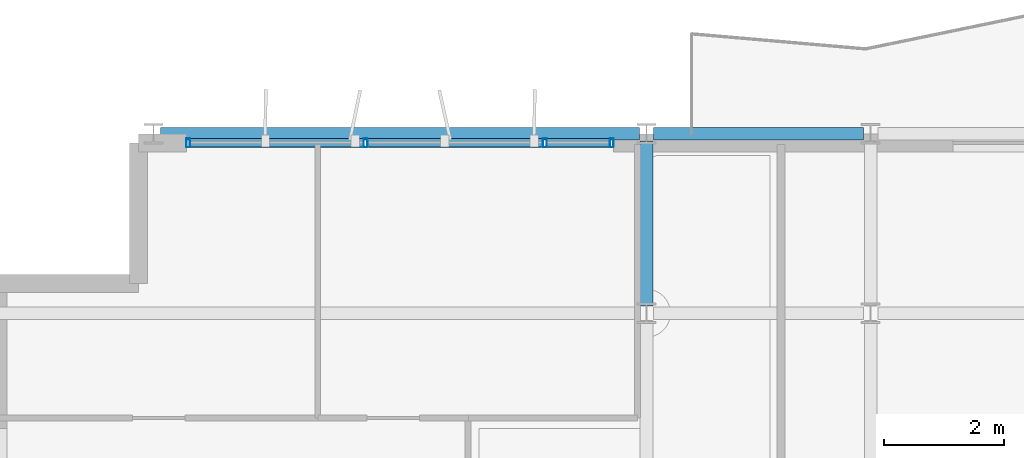
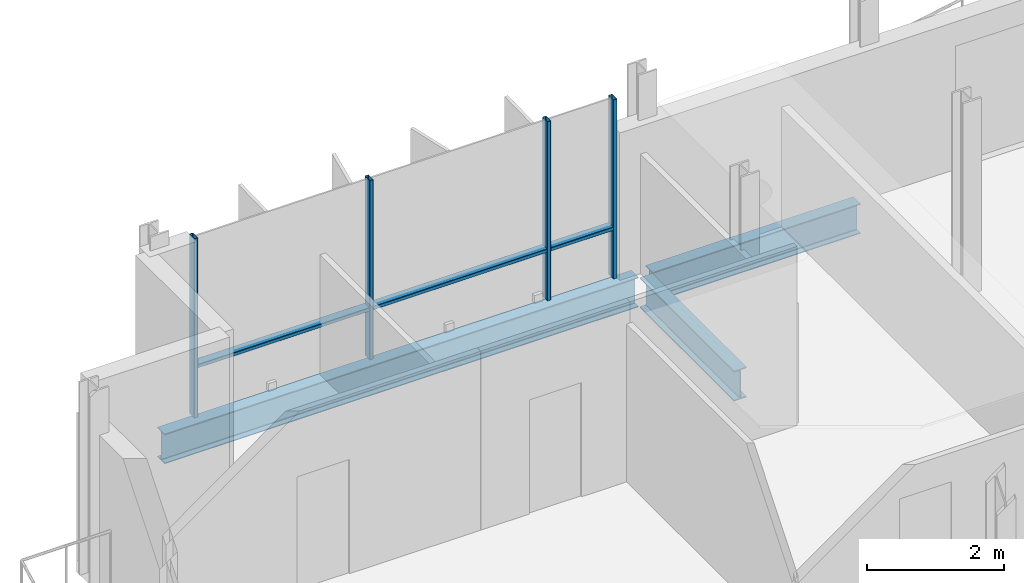
# One storey, part 2 of 12: 7 members, 3 beams, 1 element without a shape of its own.
"""IFC4 building model written with IfcOpenShell, lengths in metres."""

import ifcopenshell
import ifcopenshell.guid

model = None  # the IFC model being written
_history = None  # IfcOwnerHistory: only IFC2X3 demands one
_inside = {}  # id of a spatial element -> (the spatial element, [elements in it])
_under = {}  # id of a project, library or spatial element -> (it, [spatial elements below it])
_declared = {}  # id of a project -> (the project, [libraries it declares])
_typed = {}  # id of a type object -> (the type object, [elements of that type])
_made_of = {}  # id of a material, layer set ... -> (it, [elements and type objects made of it])


def new_model(schema):
    """Start an empty IFC model of exactly this schema.

    Asked for "IFC4X3", IfcOpenShell would pick the latest addendum, in which some entities
    have other attributes; the version numbers below select the first issue.
    IFC2X3 requires an IfcOwnerHistory on every rooted entity: one is made here for all.
    """
    global model, _history
    if schema == "IFC4X3":
        model = ifcopenshell.file(schema_version=(4, 3, 0, 0))
    else:
        model = ifcopenshell.file(schema=schema)
    _inside.clear()
    _under.clear()
    _declared.clear()
    _typed.clear()
    _made_of.clear()
    _history = None
    if model.schema == "IFC2X3":
        org = make("IfcOrganization", Name="unknown")
        user = make(
            "IfcPersonAndOrganization",
            ThePerson=make("IfcPerson", FamilyName="unknown"),
            TheOrganization=org,
        )
        app = make(
            "IfcApplication",
            ApplicationDeveloper=org,
            Version="unknown",
            ApplicationFullName="unknown",
            ApplicationIdentifier="unknown",
        )
        _history = make(
            "IfcOwnerHistory",
            OwningUser=user,
            OwningApplication=app,
            ChangeAction="ADDED",
            CreationDate=0,
        )
    return model


def make(cls, **values):
    """One entity of the class cls with the attributes given. An attribute that is None is left unset."""
    return model.create_entity(
        cls, **{name: value for name, value in values.items() if value is not None}
    )


def rooted(cls, **values):
    """An entity with a GlobalId (a new one), such as an element, a storey or a relation."""
    return make(cls, GlobalId=ifcopenshell.guid.new(), OwnerHistory=_history, **values)


def si_unit(unit_type, name, prefix=None):
    """IfcSIUnit, for example si_unit("LENGTHUNIT", "METRE", prefix="MILLI")."""
    return make("IfcSIUnit", UnitType=unit_type, Prefix=prefix, Name=name)


def assignment(units):
    """IfcUnitAssignment: the units of a project."""
    return None if units is None else make("IfcUnitAssignment", Units=units)


def point(xyz):
    """IfcCartesianPoint."""
    return None if xyz is None else make("IfcCartesianPoint", Coordinates=xyz)


def direction(xyz):
    """IfcDirection."""
    return None if xyz is None else make("IfcDirection", DirectionRatios=xyz)


def frame(location, z_axis=None, x_axis=None):
    """IfcAxis2Placement3D, a coordinate frame: its origin and axes. An axis left out is left unset."""
    return make(
        "IfcAxis2Placement3D",
        Location=point(location),
        Axis=direction(z_axis),
        RefDirection=direction(x_axis),
    )


def frame_2d(location, x_axis=None):
    """IfcAxis2Placement2D, a coordinate frame in the plane: its origin and x axis."""
    return make(
        "IfcAxis2Placement2D", Location=point(location), RefDirection=direction(x_axis)
    )


def origin():
    """The frame at (0, 0, 0) with its axes left unset."""
    return frame((0.0, 0.0, 0.0))


def origin_2d():
    """The frame at (0, 0) in the plane with its x axis left unset."""
    return frame_2d((0.0, 0.0))


def place(relative_to, where):
    """IfcLocalPlacement: puts the frame where relative to a parent placement (None: the world)."""
    return make(
        "IfcLocalPlacement", PlacementRelTo=relative_to, RelativePlacement=where
    )


def context(
    kind, dimensions, precision=None, world=None, true_north=None, identifier=None
):
    """IfcGeometricRepresentationContext, for example the 3D "Model" context."""
    return make(
        "IfcGeometricRepresentationContext",
        ContextIdentifier=identifier,
        ContextType=kind,
        CoordinateSpaceDimension=dimensions,
        Precision=precision,
        WorldCoordinateSystem=world,
        TrueNorth=true_north,
    )


def subcontext(parent, identifier, kind, view, scale=None):
    """IfcGeometricRepresentationSubContext, for example "Body" below "Model"."""
    return make(
        "IfcGeometricRepresentationSubContext",
        ContextIdentifier=identifier,
        ContextType=kind,
        ParentContext=parent,
        TargetScale=scale,
        TargetView=view,
    )


def project(units=None, contexts=None):
    """IfcProject with its units and contexts."""
    return rooted(
        "IfcProject",
        Name="project",
        RepresentationContexts=contexts,
        UnitsInContext=assignment(units),
    )


def spatial(cls, under=None, at=None, **own):
    """A site, building, storey or space (cls), placed at a placement, below another one or the project."""
    s = rooted(cls, ObjectPlacement=at, **own)
    if under is not None:
        _under.setdefault(under.id(), (under, []))[1].append(s)
    return s


def profile(cls, at=None, kind="AREA", **sizes):
    """A parametric profile (cls). Its sizes go by their IFC names, for example OverallWidth=200.0."""
    return make(cls, ProfileType=kind, Position=at, **sizes)


def hollow_rectangle(**sizes):
    """IfcRectangleHollowProfileDef."""
    return profile("IfcRectangleHollowProfileDef", **sizes)


def i_section(**sizes):
    """IfcIShapeProfileDef."""
    return profile("IfcIShapeProfileDef", **sizes)


def extrude(swept, where, along, depth):
    """IfcExtrudedAreaSolid: the profile swept, set in the frame where, extruded along a direction by depth."""
    return make(
        "IfcExtrudedAreaSolid",
        SweptArea=swept,
        Position=where,
        ExtrudedDirection=direction(along),
        Depth=depth,
    )


def shape(context_of_items, identifier, shape_type, items):
    """IfcShapeRepresentation: the items that make up one representation, for example the "Body"."""
    return make(
        "IfcShapeRepresentation",
        ContextOfItems=context_of_items,
        RepresentationIdentifier=identifier,
        RepresentationType=shape_type,
        Items=items,
    )


def material(Name=None, Category=None):
    """IfcMaterial."""
    return make("IfcMaterial", Name=Name, Category=Category)


def layer(
    of_material, thickness, ventilated=None, Name=None, Category=None, Priority=None
):
    """IfcMaterialLayer: one layer of a wall or slab, of a material (None: an air gap)."""
    return make(
        "IfcMaterialLayer",
        Material=of_material,
        LayerThickness=thickness,
        IsVentilated=ventilated,
        Name=Name,
        Category=Category,
        Priority=Priority,
    )


def layer_set(layers, Name=None):
    """IfcMaterialLayerSet."""
    return make("IfcMaterialLayerSet", MaterialLayers=layers, LayerSetName=Name)


def material_profile(
    of_material, cross_section, Name=None, Category=None, Priority=None
):
    """IfcMaterialProfile: a cross section and its material."""
    return make(
        "IfcMaterialProfile",
        Name=Name,
        Material=of_material,
        Profile=cross_section,
        Priority=Priority,
        Category=Category,
    )


def profile_set(profiles, Name=None, composite=None):
    """IfcMaterialProfileSet."""
    return make(
        "IfcMaterialProfileSet",
        Name=Name,
        MaterialProfiles=profiles,
        CompositeProfile=composite,
    )


def made_of(thing, what):
    """Note that an element or type object is made of a material, layer set ...; save() writes the relation."""
    if what is not None:
        _made_of.setdefault(what.id(), (what, []))[1].append(thing)
    return thing


def type_object(cls, material=None, **own):
    """A type object (cls), such as IfcWallType, which elements share."""
    return made_of(rooted(cls, **own), material)


def element(
    cls,
    number,
    at=None,
    inside=None,
    cuts=None,
    type_object=None,
    material=None,
    context=None,
    identifier="Body",
    shape_type=None,
    held_by="IfcProductDefinitionShape",
    body=None,
    shapes=None,
    **own,
):
    """One element of the class cls, such as IfcWall. Its Tag is "e" and its number.

    at: its placement. inside: the storey or other place that contains it. cuts: it is an
    opening in that element (IfcRelVoidsElement). A single representation is given by context,
    identifier, shape_type and body (its items); several are given by shapes. held_by: the class
    of the entity that holds the representations. save() writes the other relations.
    """
    e = rooted(cls, Tag="e%d" % number, ObjectPlacement=at, **own)
    if body is not None:
        shapes = [shape(context, identifier, shape_type, body)]
    if shapes is not None:
        e.Representation = make(held_by, Representations=shapes)
    if inside is not None:
        _inside.setdefault(inside.id(), (inside, []))[1].append(e)
    if cuts is not None:
        rooted(
            "IfcRelVoidsElement", RelatingBuildingElement=cuts, RelatedOpeningElement=e
        )
    if type_object is not None:
        _typed.setdefault(type_object.id(), (type_object, []))[1].append(e)
    return made_of(e, material)


def aggregate(whole, parts):
    """IfcRelAggregates: a whole, such as a stair, and the parts it consists of."""
    return rooted("IfcRelAggregates", RelatingObject=whole, RelatedObjects=parts)


def save(model, path):
    """Write the relations noted so far, then the file.

    IfcRelAggregates (storeys below a building ...), IfcRelContainedInSpatialStructure (elements
    in a storey), IfcRelDefinesByType, IfcRelAssociatesMaterial and IfcRelDeclares: one each for
    every whole, place, type object, material and project.
    """
    for whole, parts in _under.values():
        aggregate(whole, parts)
    for where, things in _inside.values():
        rooted(
            "IfcRelContainedInSpatialStructure",
            RelatedElements=things,
            RelatingStructure=where,
        )
    for kind, things in _typed.values():
        rooted("IfcRelDefinesByType", RelatedObjects=things, RelatingType=kind)
    for what, things in _made_of.values():
        rooted("IfcRelAssociatesMaterial", RelatedObjects=things, RelatingMaterial=what)
    for by, libraries in _declared.values():
        rooted("IfcRelDeclares", RelatingContext=by, RelatedDefinitions=libraries)
    model.write(path)


model = new_model("IFC4")

# Units and contexts
model_context = context("Model", 3, precision=1e-05, world=origin(), true_north=direction((0.0, 1.0)))
body_context = subcontext(model_context, "Body", "Model", "MODEL_VIEW")
ifc_project = project(units=[si_unit("LENGTHUNIT", "METRE"), si_unit("AREAUNIT", "SQUARE_METRE"), si_unit("VOLUMEUNIT", "CUBIC_METRE"), si_unit("PLANEANGLEUNIT", "RADIAN"), si_unit("MASSUNIT", "GRAM", prefix="KILO")], contexts=[model_context])

# Site, building, storey
site_placement = place(None, origin())
site = spatial("IfcSite", under=ifc_project, at=site_placement, CompositionType="ELEMENT")
building_placement = place(site_placement, origin())
building = spatial("IfcBuilding", under=site, at=building_placement, Name="Brevholm Reach", CompositionType="ELEMENT")
storey_placement = place(building_placement, frame((0.0, 0.0, 236.60009765625)))
storey = spatial("IfcBuildingStorey", under=building, at=storey_placement, Name="L72", CompositionType="ELEMENT", Elevation=236.60009765625)

# Beams
ifc_material_1 = material(Name="Structural Steel S355J2", Category="steel")
ifc_material_profile_1 = material_profile(ifc_material_1, i_section(OverallWidth=0.209228515625, OverallDepth=0.533203125, WebThickness=0.010009765625, FlangeThickness=0.015625, FilletRadius=0.0126953125, at=origin_2d()), Name="UKB 533x210x92")
ifc_profile_set_1 = profile_set([ifc_material_profile_1], Name="Structural Steel S355J2")
beam_type_1 = type_object("IfcBeamType", Name="BM-SP533", PredefinedType="SPANDREL", material=ifc_profile_set_1)
beam_1_placement = place(storey_placement, frame((30.1201171875, 26.5, -0.4765625), z_axis=(1.0, 0.0, 0.0), x_axis=(0.0, 1.0, 0.0)))
element("IfcBeam", 1, at=beam_1_placement, inside=storey, type_object=beam_type_1, Name="L72 SP-02 Framing Beam", PredefinedType="SPANDREL", context=body_context, shape_type="SweptSolid", body=[
    extrude(i_section(OverallWidth=0.209228515625, OverallDepth=0.533203125, WebThickness=0.010009765625, FlangeThickness=0.015625, FilletRadius=0.0126953125, at=origin_2d()), origin(), (0.0, 0.0, 1.0), 8.009765625),
])
beam_2_placement = place(storey_placement, frame((38.3701171875, 26.5, -0.4765625), z_axis=(1.0, 0.0, 0.0), x_axis=(0.0, 1.0, 0.0)))
element("IfcBeam", 2, at=beam_2_placement, inside=storey, type_object=beam_type_1, Name="L72 SP-02 Framing Beam", PredefinedType="SPANDREL", context=body_context, shape_type="SweptSolid", body=[
    extrude(i_section(OverallWidth=0.209228515625, OverallDepth=0.533203125, WebThickness=0.010009765625, FlangeThickness=0.015625, FilletRadius=0.0126953125, at=origin_2d()), origin(), (0.0, 0.0, 1.0), 3.509765625),
])
ifc_material_2 = material(Name="Structural Steel S355J2", Category="steel")
ifc_material_profile_2 = material_profile(ifc_material_2, i_section(OverallWidth=0.210693359375, OverallDepth=0.53955078125, WebThickness=0.01171875, FlangeThickness=0.018798828125, FilletRadius=0.0126953125, at=origin_2d()), Name="UKB 533x210x109")
ifc_profile_set_2 = profile_set([ifc_material_profile_2], Name="Structural Steel S355J2")
beam_type_2 = type_object("IfcBeamType", Name="BM-SP539", PredefinedType="SPANDREL", material=ifc_profile_set_2)
beam_3_placement = place(storey_placement, frame((38.25, 23.6201171875, -0.479736328125), z_axis=(0.0, 1.0, 0.0), x_axis=(-1.0, 0.0, 0.0)))
element("IfcBeam", 3, at=beam_3_placement, inside=storey, type_object=beam_type_2, Name="L72 SP-01B Framing Beam", PredefinedType="SPANDREL", context=body_context, shape_type="SweptSolid", body=[
    extrude(i_section(OverallWidth=0.210693359375, OverallDepth=0.53955078125, WebThickness=0.01171875, FlangeThickness=0.018798828125, FilletRadius=0.0126953125, at=origin_2d()), origin(), (0.0, 0.0, 1.0), 2.759765625),
])

# Curtain wall, members
ifc_material_3 = material(Name="Dark Anodised Aluminium 6063-T6 and Solar-Control Glass", Category="aluminium")
ifc_layer = layer(ifc_material_3, 0.14990234375)
ifc_layer_set = layer_set([ifc_layer], Name="Dark Anodised Aluminium 6063-T6 and Solar-Control Glass")
curtain_wall_type = type_object("IfcCurtainWallType", Name="CW-01", PredefinedType="NOTDEFINED", material=ifc_layer_set)
curtain_wall_placement = place(storey_placement, origin())
curtain_wall = element("IfcCurtainWall", 4, at=curtain_wall_placement, inside=storey, type_object=curtain_wall_type, Name="L72 Curtain Wall CW-01", PredefinedType="NOTDEFINED")
ifc_material_4 = material(Name="Dark Anodised Aluminium 6063-T6", Category="aluminium")
ifc_material_profile_3 = material_profile(ifc_material_4, hollow_rectangle(XDim=0.06494140625, YDim=0.14990234375, WallThickness=0.0048828125, InnerFilletRadius=0.0048828125, OuterFilletRadius=0.010009765625, at=origin_2d()), Name="RHS 150x65x5")
ifc_profile_set_3 = profile_set([ifc_material_profile_3], Name="Dark Anodised Aluminium 6063-T6")
member_type_1 = type_object("IfcMemberType", Name="CWM-150", PredefinedType="MULLION", material=ifc_profile_set_3)
member_1_placement = place(storey_placement, frame((30.58251953125, 26.35009765625, 0.0), z_axis=(0.0, 0.0, 1.0), x_axis=(1.0, 0.0, 0.0)))
member_1 = element("IfcMember", 5, at=member_1_placement, type_object=member_type_1, Name="CM-150 Mullion 1", PredefinedType="MULLION", context=body_context, shape_type="SweptSolid", body=[
    extrude(hollow_rectangle(XDim=0.06494140625, YDim=0.14990234375, WallThickness=0.0048828125, InnerFilletRadius=0.0048828125, OuterFilletRadius=0.010009765625, at=origin_2d()), origin(), (0.0, 0.0, 1.0), 3.199951171875),
])
member_2_placement = place(storey_placement, frame((33.550048828125, 26.35009765625, 0.0), z_axis=(0.0, 0.0, 1.0), x_axis=(1.0, 0.0, 0.0)))
member_2 = element("IfcMember", 6, at=member_2_placement, type_object=member_type_1, Name="CM-150 Mullion 2", PredefinedType="MULLION", context=body_context, shape_type="SweptSolid", body=[
    extrude(hollow_rectangle(XDim=0.06494140625, YDim=0.14990234375, WallThickness=0.0048828125, InnerFilletRadius=0.0048828125, OuterFilletRadius=0.010009765625, at=origin_2d()), origin(), (0.0, 0.0, 1.0), 3.199951171875),
])
member_3_placement = place(storey_placement, frame((36.550048828125, 26.35009765625, 0.0), z_axis=(0.0, 0.0, 1.0), x_axis=(1.0, 0.0, 0.0)))
member_3 = element("IfcMember", 7, at=member_3_placement, type_object=member_type_1, Name="CM-150 Mullion 3", PredefinedType="MULLION", context=body_context, shape_type="SweptSolid", body=[
    extrude(hollow_rectangle(XDim=0.06494140625, YDim=0.14990234375, WallThickness=0.0048828125, InnerFilletRadius=0.0048828125, OuterFilletRadius=0.010009765625, at=origin_2d()), origin(), (0.0, 0.0, 1.0), 3.199951171875),
])
member_4_placement = place(storey_placement, frame((37.66748046875, 26.35009765625, 0.0), z_axis=(0.0, 0.0, 1.0), x_axis=(1.0, 0.0, 0.0)))
member_4 = element("IfcMember", 8, at=member_4_placement, type_object=member_type_1, Name="CM-150 Mullion 4", PredefinedType="MULLION", context=body_context, shape_type="SweptSolid", body=[
    extrude(hollow_rectangle(XDim=0.06494140625, YDim=0.14990234375, WallThickness=0.0048828125, InnerFilletRadius=0.0048828125, OuterFilletRadius=0.010009765625, at=origin_2d()), origin(), (0.0, 0.0, 1.0), 3.199951171875),
])
ifc_material_5 = material(Name="Dark Anodised Aluminium 6063-T6", Category="aluminium")
ifc_material_profile_4 = material_profile(ifc_material_5, hollow_rectangle(XDim=0.06494140625, YDim=0.14990234375, WallThickness=0.0048828125, InnerFilletRadius=0.0048828125, OuterFilletRadius=0.010009765625, at=origin_2d()), Name="RHS 150x65x5")
ifc_profile_set_4 = profile_set([ifc_material_profile_4], Name="Dark Anodised Aluminium 6063-T6")
member_type_2 = type_object("IfcMemberType", Name="CWT-150", PredefinedType="NOTDEFINED", material=ifc_profile_set_4)
member_5_placement = place(storey_placement, frame((30.614990234375, 26.35009765625, 0.89990234375), z_axis=(1.0, 0.0, 0.0), x_axis=(0.0, 0.0, 1.0)))
member_5 = element("IfcMember", 9, at=member_5_placement, type_object=member_type_2, Name="CT-150 Transom 1.1", ObjectType="TRANSOM", PredefinedType="USERDEFINED", context=body_context, shape_type="SweptSolid", body=[
    extrude(hollow_rectangle(XDim=0.06494140625, YDim=0.14990234375, WallThickness=0.0048828125, InnerFilletRadius=0.0048828125, OuterFilletRadius=0.010009765625, at=origin_2d()), origin(), (0.0, 0.0, 1.0), 2.902587890625),
])
member_6_placement = place(storey_placement, frame((33.58251953125, 26.35009765625, 0.89990234375), z_axis=(1.0, 0.0, 0.0), x_axis=(0.0, 0.0, 1.0)))
member_6 = element("IfcMember", 10, at=member_6_placement, type_object=member_type_2, Name="CT-150 Transom 2.1", ObjectType="TRANSOM", PredefinedType="USERDEFINED", context=body_context, shape_type="SweptSolid", body=[
    extrude(hollow_rectangle(XDim=0.06494140625, YDim=0.14990234375, WallThickness=0.0048828125, InnerFilletRadius=0.0048828125, OuterFilletRadius=0.010009765625, at=origin_2d()), origin(), (0.0, 0.0, 1.0), 2.93505859375),
])
member_7_placement = place(storey_placement, frame((36.58251953125, 26.35009765625, 0.89990234375), z_axis=(1.0, 0.0, 0.0), x_axis=(0.0, 0.0, 1.0)))
member_7 = element("IfcMember", 11, at=member_7_placement, type_object=member_type_2, Name="CT-150 Transom 3.1", ObjectType="TRANSOM", PredefinedType="USERDEFINED", context=body_context, shape_type="SweptSolid", body=[
    extrude(hollow_rectangle(XDim=0.06494140625, YDim=0.14990234375, WallThickness=0.0048828125, InnerFilletRadius=0.0048828125, OuterFilletRadius=0.010009765625, at=origin_2d()), origin(), (0.0, 0.0, 1.0), 1.052490234375),
])
aggregate(curtain_wall, [member_1, member_2, member_3, member_4, member_5, member_6, member_7])

save(model, "model.ifc")
